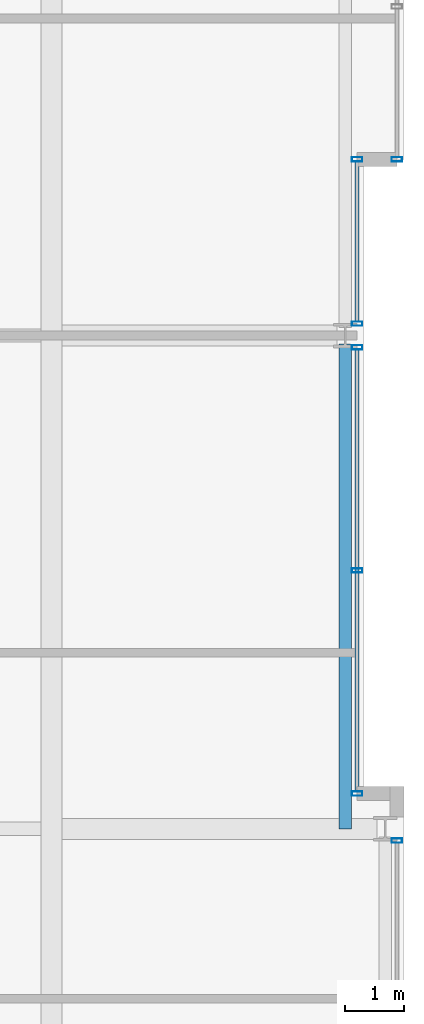
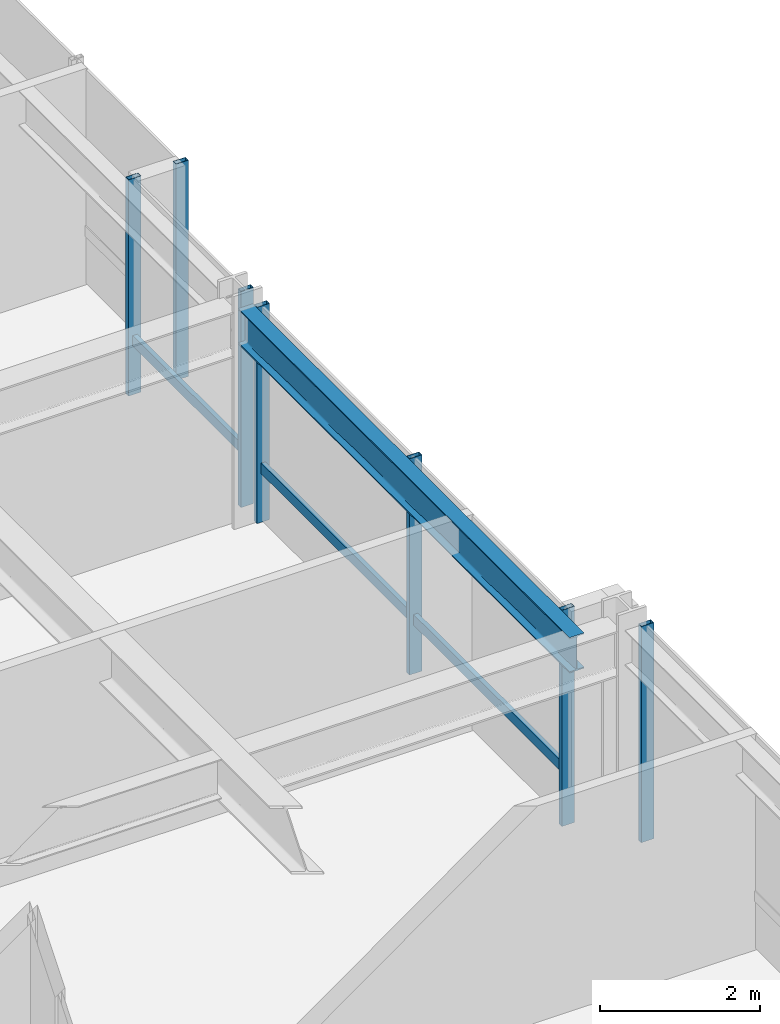
# One storey, part 15 of 32: 9 members, 1 beam, 4 elements without a shape of their own.
"""IFC4 building model written with IfcOpenShell, lengths in metres."""

from ifc_helpers import new_model, si_unit, direction, frame, origin, origin_2d, place, context, subcontext, project, spatial, hollow_rectangle, i_section, extrude, material, layer, layer_set, material_profile, profile_set, type_object, element, aggregate, save


model = new_model("IFC4")

# Units and contexts
model_context = context("Model", 3, precision=1e-05, world=origin(), true_north=direction((0.0, 1.0)))
body_context = subcontext(model_context, "Body", "Model", "MODEL_VIEW")
ifc_project = project(units=[si_unit("LENGTHUNIT", "METRE"), si_unit("AREAUNIT", "SQUARE_METRE"), si_unit("VOLUMEUNIT", "CUBIC_METRE"), si_unit("PLANEANGLEUNIT", "RADIAN"), si_unit("MASSUNIT", "GRAM", prefix="KILO")], contexts=[model_context])

# Site, building, storey
site_placement = place(None, origin())
site = spatial("IfcSite", under=ifc_project, at=site_placement, CompositionType="ELEMENT")
building_placement = place(site_placement, origin())
building = spatial("IfcBuilding", under=site, at=building_placement, Name="Drelvath Grand Hotel", CompositionType="ELEMENT")
storey_placement = place(building_placement, frame((0.0, 0.0, 150.39990234375)))
storey = spatial("IfcBuildingStorey", under=building, at=storey_placement, Name="L38", CompositionType="ELEMENT", Elevation=150.39990234375)

# Curtain wall, member
ifc_material_1 = material(Name="Brushed Pale-Silver Anodised Aluminium Frame", Category="aluminium")
ifc_layer = layer(ifc_material_1, 0.199951171875)
ifc_layer_set = layer_set([ifc_layer], Name="Brushed Pale-Silver Anodised Aluminium Frame")
curtain_wall_type = type_object("IfcCurtainWallType", Name="Stick Curtain Wall CW-04 Brushed Silver Upper-Mid", PredefinedType="NOTDEFINED", material=ifc_layer_set)
curtain_wall_1_placement = place(storey_placement, origin())
curtain_wall_1 = element("IfcCurtainWall", 1, at=curtain_wall_1_placement, inside=storey, type_object=curtain_wall_type, Name="L38 CW-04 Curtain Wall CW04-L38-EM1", PredefinedType="NOTDEFINED")
ifc_material_profile_1 = material_profile(ifc_material_1, hollow_rectangle(XDim=0.06494140625, YDim=0.159912109375, WallThickness=0.00390625, at=origin_2d()), Name="HSS160X65X4")
ifc_profile_set_1 = profile_set([ifc_material_profile_1], Name="Brushed Pale-Silver Anodised Aluminium Frame")
member_type_1 = type_object("IfcMemberType", Name="Curtain Wall Horizontal Transom CW-04 HSS160X65X4", PredefinedType="USERDEFINED", material=ifc_profile_set_1)
member_1_placement = place(storey_placement, frame((21.39990234375, 26.760009765625, 0.822509765625), z_axis=(0.0, -1.0, 0.0), x_axis=(1.0, 0.0, 0.0)))
member_1 = element("IfcMember", 2, at=member_1_placement, type_object=member_type_1, Name="CW04-L38-EM1 Sill Transom", ObjectType="TRANSOM", PredefinedType="USERDEFINED", context=body_context, shape_type="SweptSolid", body=[
    extrude(hollow_rectangle(XDim=0.06494140625, YDim=0.159912109375, WallThickness=0.00390625, at=origin_2d()), origin(), (0.0, 0.0, 1.0), 7.52001953125),
])

curtain_wall_2_placement = place(storey_placement, origin())
curtain_wall_2 = element("IfcCurtainWall", 3, at=curtain_wall_2_placement, inside=storey, type_object=curtain_wall_type, Name="L38 CW-04 Curtain Wall CW04-L38-EM2", PredefinedType="NOTDEFINED")
member_2_placement = place(storey_placement, frame((21.39990234375, 29.9599609375, 0.822509765625), z_axis=(0.0, -1.0, 0.0), x_axis=(1.0, 0.0, 0.0)))
member_2 = element("IfcMember", 4, at=member_2_placement, type_object=member_type_1, Name="CW04-L38-EM2 Sill Transom", ObjectType="TRANSOM", PredefinedType="USERDEFINED", context=body_context, shape_type="SweptSolid", body=[
    extrude(hollow_rectangle(XDim=0.06494140625, YDim=0.159912109375, WallThickness=0.00390625, at=origin_2d()), origin(), (0.0, 0.0, 1.0), 2.719970703125),
])

curtain_wall_3_placement = place(storey_placement, origin())
curtain_wall_3 = element("IfcCurtainWall", 5, at=curtain_wall_3_placement, inside=storey, type_object=curtain_wall_type, Name="L38 CW-04 Curtain Wall CW04-L38-EN1", PredefinedType="NOTDEFINED")
ifc_material_profile_2 = material_profile(ifc_material_1, hollow_rectangle(XDim=0.074951171875, YDim=0.179931640625, WallThickness=0.0048828125, at=origin_2d()), Name="HSS180X75X5")
ifc_profile_set_2 = profile_set([ifc_material_profile_2], Name="Brushed Pale-Silver Anodised Aluminium Frame")
member_type_2 = type_object("IfcMemberType", Name="Curtain Wall Vertical Mullion CW-04 HSS180X75X5", PredefinedType="MULLION", material=ifc_profile_set_2)
member_3_placement = place(storey_placement, frame((22.080078125, 30.0, 0.0), z_axis=(0.0, 0.0, 1.0), x_axis=(0.0, 1.0, 0.0)))
member_3 = element("IfcMember", 6, at=member_3_placement, type_object=member_type_2, Name="CW04-L38-EN1 Mullion 3", PredefinedType="MULLION", context=body_context, shape_type="SweptSolid", body=[
    extrude(hollow_rectangle(XDim=0.074951171875, YDim=0.179931640625, WallThickness=0.0048828125, at=origin_2d()), origin(), (0.0, 0.0, 1.0), 3.2900390625),
])
aggregate(curtain_wall_3, [member_3])

# Member
member_4_placement = place(storey_placement, frame((21.39990234375, 26.7998046875, 0.0), z_axis=(0.0, 0.0, 1.0), x_axis=(0.0, 1.0, 0.0)))
member_4 = element("IfcMember", 7, at=member_4_placement, type_object=member_type_2, Name="CW04-L38-EM1 Mullion 1", PredefinedType="MULLION", context=body_context, shape_type="SweptSolid", body=[
    extrude(hollow_rectangle(XDim=0.074951171875, YDim=0.179931640625, WallThickness=0.0048828125, at=origin_2d()), origin(), (0.0, 0.0, 1.0), 3.2900390625),
])

member_5_placement = place(storey_placement, frame((21.39990234375, 23.0, 0.0), z_axis=(0.0, 0.0, 1.0), x_axis=(0.0, 1.0, 0.0)))
member_5 = element("IfcMember", 8, at=member_5_placement, type_object=member_type_2, Name="CW04-L38-EM1 Mullion 2", PredefinedType="MULLION", context=body_context, shape_type="SweptSolid", body=[
    extrude(hollow_rectangle(XDim=0.074951171875, YDim=0.179931640625, WallThickness=0.0048828125, at=origin_2d()), origin(), (0.0, 0.0, 1.0), 3.2900390625),
])

member_6_placement = place(storey_placement, frame((21.39990234375, 19.199951171875, 0.0), z_axis=(0.0, 0.0, 1.0), x_axis=(0.0, 1.0, 0.0)))
member_6 = element("IfcMember", 9, at=member_6_placement, type_object=member_type_2, Name="CW04-L38-EM1 Mullion 3", PredefinedType="MULLION", context=body_context, shape_type="SweptSolid", body=[
    extrude(hollow_rectangle(XDim=0.074951171875, YDim=0.179931640625, WallThickness=0.0048828125, at=origin_2d()), origin(), (0.0, 0.0, 1.0), 3.2900390625),
])

aggregate(curtain_wall_1, [member_4, member_5, member_6, member_1])

member_7_placement = place(storey_placement, frame((21.39990234375, 30.0, 0.0), z_axis=(0.0, 0.0, 1.0), x_axis=(0.0, 1.0, 0.0)))
member_7 = element("IfcMember", 10, at=member_7_placement, type_object=member_type_2, Name="CW04-L38-EM2 Mullion 1", PredefinedType="MULLION", context=body_context, shape_type="SweptSolid", body=[
    extrude(hollow_rectangle(XDim=0.074951171875, YDim=0.179931640625, WallThickness=0.0048828125, at=origin_2d()), origin(), (0.0, 0.0, 1.0), 3.2900390625),
])

member_8_placement = place(storey_placement, frame((21.39990234375, 27.2001953125, 0.0), z_axis=(0.0, 0.0, 1.0), x_axis=(0.0, 1.0, 0.0)))
member_8 = element("IfcMember", 11, at=member_8_placement, type_object=member_type_2, Name="CW04-L38-EM2 Mullion 2", PredefinedType="MULLION", context=body_context, shape_type="SweptSolid", body=[
    extrude(hollow_rectangle(XDim=0.074951171875, YDim=0.179931640625, WallThickness=0.0048828125, at=origin_2d()), origin(), (0.0, 0.0, 1.0), 3.2900390625),
])

aggregate(curtain_wall_2, [member_7, member_8, member_2])

# Curtain wall, member
curtain_wall_4_placement = place(storey_placement, origin())
curtain_wall_4 = element("IfcCurtainWall", 12, at=curtain_wall_4_placement, inside=storey, type_object=curtain_wall_type, Name="L38 CW-04 Curtain Wall CW04-L38-ES2", PredefinedType="NOTDEFINED")
member_9_placement = place(storey_placement, frame((22.080078125, 18.39990234375, 0.0), z_axis=(0.0, 0.0, 1.0), x_axis=(0.0, 1.0, 0.0)))
member_9 = element("IfcMember", 13, at=member_9_placement, type_object=member_type_2, Name="CW04-L38-ES2 Mullion 1", PredefinedType="MULLION", context=body_context, shape_type="SweptSolid", body=[
    extrude(hollow_rectangle(XDim=0.074951171875, YDim=0.179931640625, WallThickness=0.0048828125, at=origin_2d()), origin(), (0.0, 0.0, 1.0), 3.2900390625),
])
aggregate(curtain_wall_4, [member_9])

# Beam
ifc_material_2 = material(Name="Steel ASTM A992 Gr 50", Category="steel")
ifc_material_profile_3 = material_profile(ifc_material_2, i_section(OverallWidth=0.210205078125, OverallDepth=0.53662109375, WebThickness=0.010986328125, FlangeThickness=0.017333984375, FilletRadius=0.01806640625, at=origin_2d()), Name="W21X68")
ifc_profile_set_3 = profile_set([ifc_material_profile_3], Name="Steel ASTM A992 Gr 50")
beam_type = type_object("IfcBeamType", Name="Perimeter Spandrel Beam W21X68", PredefinedType="SPANDREL", material=ifc_profile_set_3)
beam_placement = place(storey_placement, frame((21.199951171875, 18.60009765625, 3.021728515625), z_axis=(0.0, 1.0, 0.0), x_axis=(-1.0, 0.0, 0.0)))
element("IfcBeam", 14, at=beam_placement, inside=storey, type_object=beam_type, Name="L38 Spandrel East Mid S", PredefinedType="SPANDREL", context=body_context, shape_type="SweptSolid", body=[
    extrude(i_section(OverallWidth=0.210205078125, OverallDepth=0.53662109375, WebThickness=0.010986328125, FlangeThickness=0.017333984375, FilletRadius=0.01806640625, at=origin_2d()), origin(), (0.0, 0.0, 1.0), 8.260009765625),
])

save(model, "model.ifc")
